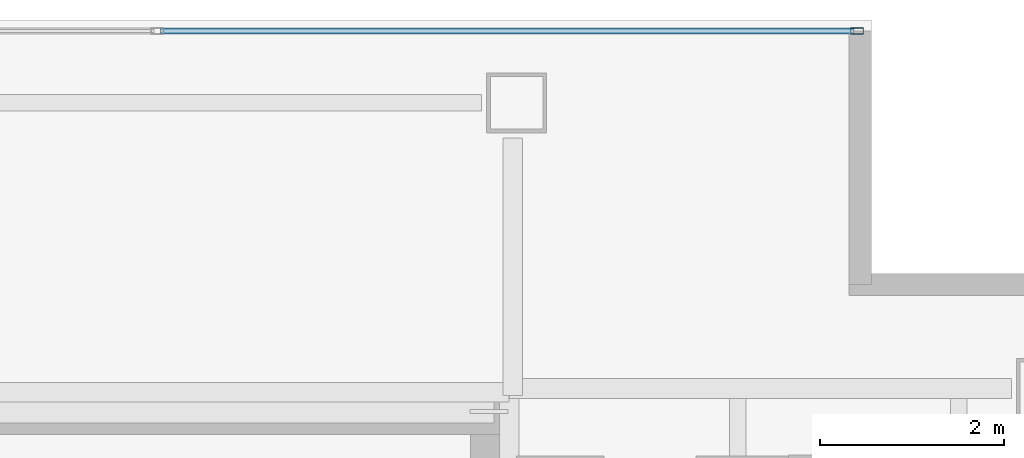
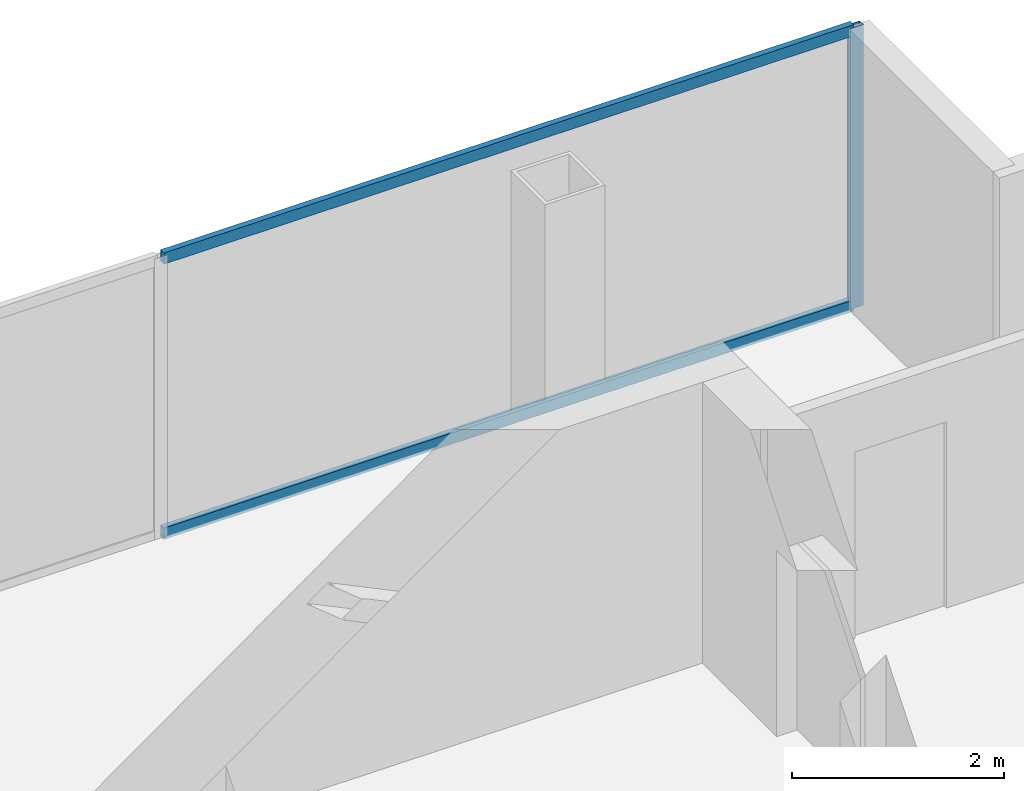
# One storey, part 19 of 24: 3 members, 1 element without a shape of its own.
"""IFC4 building model written with IfcOpenShell, lengths in metres."""

from ifc_helpers import new_model, si_unit, direction, frame, origin, origin_2d, place, context, subcontext, project, spatial, hollow_rectangle, extrude, material, material_profile, profile_set, type_object, element, aggregate, save


model = new_model("IFC4")

# Units and contexts
model_context = context("Model", 3, precision=1e-05, world=origin(), true_north=direction((0.0, 1.0)))
body_context = subcontext(model_context, "Body", "Model", "MODEL_VIEW")
ifc_project = project(units=[si_unit("LENGTHUNIT", "METRE"), si_unit("AREAUNIT", "SQUARE_METRE"), si_unit("VOLUMEUNIT", "CUBIC_METRE"), si_unit("PLANEANGLEUNIT", "RADIAN"), si_unit("MASSUNIT", "GRAM", prefix="KILO")], contexts=[model_context])

# Site, building, storey
site_placement = place(None, origin())
site = spatial("IfcSite", under=ifc_project, at=site_placement, CompositionType="ELEMENT")
building_placement = place(site_placement, origin())
building = spatial("IfcBuilding", under=site, at=building_placement, Name="Cobrela Telecom Tower", CompositionType="ELEMENT")
storey_placement = place(building_placement, frame((0.0, 0.0, 241.14990234375)))
storey = spatial("IfcBuildingStorey", under=building, at=storey_placement, Name="L62", CompositionType="ELEMENT", Elevation=241.14990234375)

# Curtain wall, members
ifc_material = material(Name="Anodized Bronze Aluminium 6063-T6", Category="aluminium")
curtain_wall_type = type_object("IfcCurtainWallType", Name="CW-SYS-OFF-HI", PredefinedType="USERDEFINED", material=ifc_material)
curtain_wall_placement = place(storey_placement, origin())
curtain_wall = element("IfcCurtainWall", 1, at=curtain_wall_placement, inside=storey, type_object=curtain_wall_type, Name="L62 Unitised Bronze Curtain Wall 05", ObjectType="UNITISED CURTAIN WALL", PredefinedType="USERDEFINED")
ifc_material_profile_1 = material_profile(ifc_material, hollow_rectangle(XDim=0.070068359375, YDim=0.139892578125, WallThickness=0.00390625, at=origin_2d()), Name="ALU 70x140x4")
ifc_profile_set_1 = profile_set([ifc_material_profile_1], Name="Anodized Bronze Aluminium 6063-T6")
member_type_1 = type_object("IfcMemberType", Name="CW-SYS-OFF-HI-MUL", PredefinedType="MULLION", material=ifc_profile_set_1)
member_1_placement = place(storey_placement, frame((18.094970703125, 39.8798828125, 0.0), z_axis=(0.0, 0.0, 1.0), x_axis=(0.0, 1.0, 0.0)))
member_1 = element("IfcMember", 2, at=member_1_placement, type_object=member_type_1, Name="CW-OFF-HI mullion 3", PredefinedType="MULLION", context=body_context, shape_type="SweptSolid", body=[
    extrude(hollow_rectangle(XDim=0.070068359375, YDim=0.139892578125, WallThickness=0.00390625, at=origin_2d()), origin(), (0.0, 0.0, 1.0), 3.239990234375),
])
ifc_material_profile_2 = material_profile(ifc_material, hollow_rectangle(XDim=0.06494140625, YDim=0.1298828125, WallThickness=0.00390625, at=origin_2d()), Name="ALU 65x130x4")
ifc_profile_set_2 = profile_set([ifc_material_profile_2], Name="Anodized Bronze Aluminium 6063-T6")
member_type_2 = type_object("IfcMemberType", Name="CW-SYS-OFF-HI-TRN", PredefinedType="USERDEFINED", material=ifc_profile_set_2)
member_2_placement = place(storey_placement, frame((10.534912109375, 39.8798828125, 0.03271484375), z_axis=(1.0, 0.0, 0.0), x_axis=(0.0, 1.0, 0.0)))
member_2 = element("IfcMember", 3, at=member_2_placement, type_object=member_type_2, Name="CW-OFF-HI transom 2.1", ObjectType="TRANSOM", PredefinedType="USERDEFINED", context=body_context, shape_type="SweptSolid", body=[
    extrude(hollow_rectangle(XDim=0.06494140625, YDim=0.1298828125, WallThickness=0.00390625, at=origin_2d()), origin(), (0.0, 0.0, 1.0), 7.525146484375),
])
member_3_placement = place(storey_placement, frame((10.534912109375, 39.8798828125, 3.20751953125), z_axis=(1.0, 0.0, 0.0), x_axis=(0.0, 1.0, 0.0)))
member_3 = element("IfcMember", 4, at=member_3_placement, type_object=member_type_2, Name="CW-OFF-HI transom 2.2", ObjectType="TRANSOM", PredefinedType="USERDEFINED", context=body_context, shape_type="SweptSolid", body=[
    extrude(hollow_rectangle(XDim=0.06494140625, YDim=0.1298828125, WallThickness=0.00390625, at=origin_2d()), origin(), (0.0, 0.0, 1.0), 7.525146484375),
])
aggregate(curtain_wall, [member_1, member_2, member_3])

save(model, "model.ifc")
